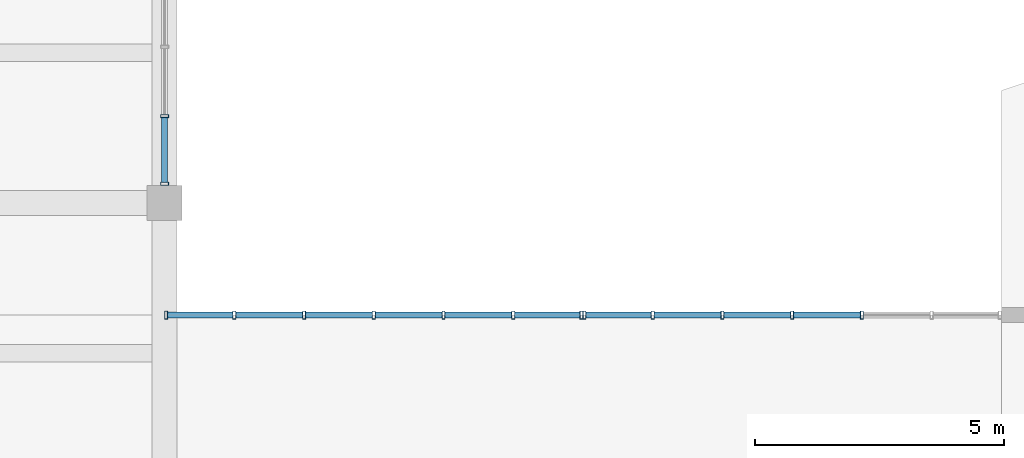
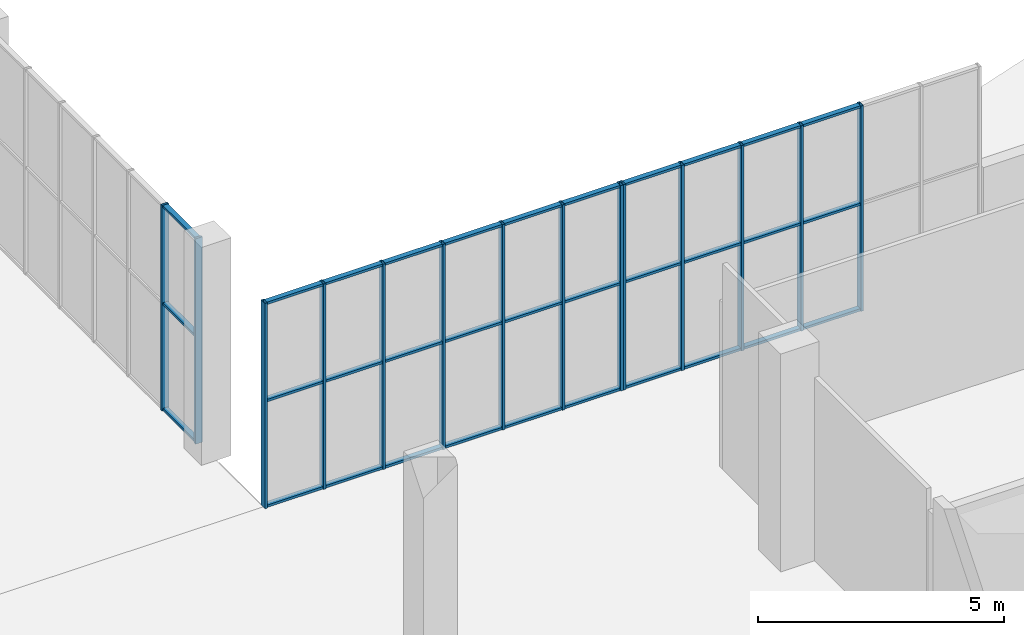
# One storey, part 15 of 91: 47 members, 3 elements without a shape of their own.
"""IFC4 building model written with IfcOpenShell, lengths in metres."""

from ifc_helpers import new_model, si_unit, direction, frame, origin, origin_2d, place, context, subcontext, project, spatial, hollow_rectangle, extrude, material, material_profile, profile_set, type_object, element, aggregate, save


model = new_model("IFC4")

# Units and contexts
model_context = context("Model", 3, precision=1e-05, world=origin(), true_north=direction((0.0, 1.0)))
body_context = subcontext(model_context, "Body", "Model", "MODEL_VIEW")
ifc_project = project(units=[si_unit("LENGTHUNIT", "METRE"), si_unit("AREAUNIT", "SQUARE_METRE"), si_unit("VOLUMEUNIT", "CUBIC_METRE"), si_unit("PLANEANGLEUNIT", "RADIAN"), si_unit("MASSUNIT", "GRAM", prefix="KILO")], contexts=[model_context])

# Site, building, storey
site_placement = place(None, origin())
site = spatial("IfcSite", under=ifc_project, at=site_placement, CompositionType="ELEMENT")
building_placement = place(site_placement, origin())
building = spatial("IfcBuilding", under=site, at=building_placement, Name="Khurvash Pelagic Aquarium", CompositionType="ELEMENT")
storey_placement = place(building_placement, origin())
storey = spatial("IfcBuildingStorey", under=building, at=storey_placement, Name="L00", CompositionType="ELEMENT", Elevation=0.0)

# Curtain wall, members
ifc_material_1 = material(Name="Anodised aluminium and low-E laminated glass", Category="aluminium")
curtain_wall_type_1 = type_object("IfcCurtainWallType", Name="CW-05", PredefinedType="USERDEFINED", material=ifc_material_1)
curtain_wall_1_placement = place(storey_placement, origin())
curtain_wall_1 = element("IfcCurtainWall", 1, at=curtain_wall_1_placement, inside=storey, type_object=curtain_wall_type_1, Name="L00 Facade Unitised Curtain Wall CW-05 0075", ObjectType="UNITISED CURTAIN WALL", PredefinedType="USERDEFINED")
ifc_material_2 = material(Name="Extruded aluminium AW-6063-T6", Category="aluminium")
ifc_material_profile_1 = material_profile(ifc_material_2, hollow_rectangle(XDim=0.06005859375, YDim=0.159912109375, WallThickness=0.00390625, at=origin_2d()), Name="CWM60X160X4")
ifc_profile_set_1 = profile_set([ifc_material_profile_1], Name="Extruded aluminium AW-6063-T6")
member_type_1 = type_object("IfcMemberType", Name="CM-02", PredefinedType="MULLION", material=ifc_profile_set_1)
member_1_placement = place(storey_placement, frame((33.60009765625, 39.18505859375, 0.0), z_axis=(0.0, 0.0, 1.0), x_axis=(0.0, 1.0, 0.0)))
member_1 = element("IfcMember", 2, at=member_1_placement, type_object=member_type_1, Name="CW-05 mullion 1", PredefinedType="MULLION", context=body_context, shape_type="SweptSolid", body=[
    extrude(hollow_rectangle(XDim=0.06005859375, YDim=0.159912109375, WallThickness=0.00390625, at=origin_2d()), origin(), (0.0, 0.0, 1.0), 5.090087890625),
])
member_2_placement = place(storey_placement, frame((33.60009765625, 40.544921875, 0.0), z_axis=(0.0, 0.0, 1.0), x_axis=(0.0, 1.0, 0.0)))
member_2 = element("IfcMember", 3, at=member_2_placement, type_object=member_type_1, Name="CW-05 mullion 2", PredefinedType="MULLION", context=body_context, shape_type="SweptSolid", body=[
    extrude(hollow_rectangle(XDim=0.06005859375, YDim=0.159912109375, WallThickness=0.00390625, at=origin_2d()), origin(), (0.0, 0.0, 1.0), 5.090087890625),
])

curtain_wall_type_2 = type_object("IfcCurtainWallType", Name="CW-02", PredefinedType="USERDEFINED", material=ifc_material_1)
curtain_wall_2_placement = place(storey_placement, origin())
curtain_wall_2 = element("IfcCurtainWall", 4, at=curtain_wall_2_placement, inside=storey, type_object=curtain_wall_type_2, Name="L00 Facade Unitised Curtain Wall CW-02 0098", ObjectType="UNITISED CURTAIN WALL", PredefinedType="USERDEFINED")
member_3_placement = place(storey_placement, frame((47.60009765625, 36.550048828125, 0.0), z_axis=(0.0, 0.0, 1.0), x_axis=(-1.0, 0.0, 0.0)))
member_3 = element("IfcMember", 5, at=member_3_placement, type_object=member_type_1, Name="CW-02 mullion 3", PredefinedType="MULLION", context=body_context, shape_type="SweptSolid", body=[
    extrude(hollow_rectangle(XDim=0.06005859375, YDim=0.159912109375, WallThickness=0.00390625, at=origin_2d()), origin(), (0.0, 0.0, 1.0), 5.090087890625),
])
member_4_placement = place(storey_placement, frame((46.199951171875, 36.550048828125, 0.0), z_axis=(0.0, 0.0, 1.0), x_axis=(-1.0, 0.0, 0.0)))
member_4 = element("IfcMember", 6, at=member_4_placement, type_object=member_type_1, Name="CW-02 mullion 4", PredefinedType="MULLION", context=body_context, shape_type="SweptSolid", body=[
    extrude(hollow_rectangle(XDim=0.06005859375, YDim=0.159912109375, WallThickness=0.00390625, at=origin_2d()), origin(), (0.0, 0.0, 1.0), 5.090087890625),
])
member_5_placement = place(storey_placement, frame((44.800048828125, 36.550048828125, 0.0), z_axis=(0.0, 0.0, 1.0), x_axis=(-1.0, 0.0, 0.0)))
member_5 = element("IfcMember", 7, at=member_5_placement, type_object=member_type_1, Name="CW-02 mullion 5", PredefinedType="MULLION", context=body_context, shape_type="SweptSolid", body=[
    extrude(hollow_rectangle(XDim=0.06005859375, YDim=0.159912109375, WallThickness=0.00390625, at=origin_2d()), origin(), (0.0, 0.0, 1.0), 5.090087890625),
])
member_6_placement = place(storey_placement, frame((43.39990234375, 36.550048828125, 0.0), z_axis=(0.0, 0.0, 1.0), x_axis=(-1.0, 0.0, 0.0)))
member_6 = element("IfcMember", 8, at=member_6_placement, type_object=member_type_1, Name="CW-02 mullion 6", PredefinedType="MULLION", context=body_context, shape_type="SweptSolid", body=[
    extrude(hollow_rectangle(XDim=0.06005859375, YDim=0.159912109375, WallThickness=0.00390625, at=origin_2d()), origin(), (0.0, 0.0, 1.0), 5.090087890625),
])
member_7_placement = place(storey_placement, frame((42.030029296875, 36.550048828125, 0.0), z_axis=(0.0, 0.0, 1.0), x_axis=(-1.0, 0.0, 0.0)))
member_7 = element("IfcMember", 9, at=member_7_placement, type_object=member_type_1, Name="CW-02 mullion 7", PredefinedType="MULLION", context=body_context, shape_type="SweptSolid", body=[
    extrude(hollow_rectangle(XDim=0.06005859375, YDim=0.159912109375, WallThickness=0.00390625, at=origin_2d()), origin(), (0.0, 0.0, 1.0), 5.090087890625),
])

curtain_wall_3_placement = place(storey_placement, origin())
curtain_wall_3 = element("IfcCurtainWall", 10, at=curtain_wall_3_placement, inside=storey, type_object=curtain_wall_type_2, Name="L00 Facade Unitised Curtain Wall CW-02 0099", ObjectType="UNITISED CURTAIN WALL", PredefinedType="USERDEFINED")
member_8_placement = place(storey_placement, frame((41.969970703125, 36.550048828125, 0.0), z_axis=(0.0, 0.0, 1.0), x_axis=(-1.0, 0.0, 0.0)))
member_8 = element("IfcMember", 11, at=member_8_placement, type_object=member_type_1, Name="CW-02 mullion 1", PredefinedType="MULLION", context=body_context, shape_type="SweptSolid", body=[
    extrude(hollow_rectangle(XDim=0.06005859375, YDim=0.159912109375, WallThickness=0.00390625, at=origin_2d()), origin(), (0.0, 0.0, 1.0), 5.090087890625),
])
member_9_placement = place(storey_placement, frame((40.60009765625, 36.550048828125, 0.0), z_axis=(0.0, 0.0, 1.0), x_axis=(-1.0, 0.0, 0.0)))
member_9 = element("IfcMember", 12, at=member_9_placement, type_object=member_type_1, Name="CW-02 mullion 2", PredefinedType="MULLION", context=body_context, shape_type="SweptSolid", body=[
    extrude(hollow_rectangle(XDim=0.06005859375, YDim=0.159912109375, WallThickness=0.00390625, at=origin_2d()), origin(), (0.0, 0.0, 1.0), 5.090087890625),
])
member_10_placement = place(storey_placement, frame((39.199951171875, 36.550048828125, 0.0), z_axis=(0.0, 0.0, 1.0), x_axis=(-1.0, 0.0, 0.0)))
member_10 = element("IfcMember", 13, at=member_10_placement, type_object=member_type_1, Name="CW-02 mullion 3", PredefinedType="MULLION", context=body_context, shape_type="SweptSolid", body=[
    extrude(hollow_rectangle(XDim=0.06005859375, YDim=0.159912109375, WallThickness=0.00390625, at=origin_2d()), origin(), (0.0, 0.0, 1.0), 5.090087890625),
])
member_11_placement = place(storey_placement, frame((37.800048828125, 36.550048828125, 0.0), z_axis=(0.0, 0.0, 1.0), x_axis=(-1.0, 0.0, 0.0)))
member_11 = element("IfcMember", 14, at=member_11_placement, type_object=member_type_1, Name="CW-02 mullion 4", PredefinedType="MULLION", context=body_context, shape_type="SweptSolid", body=[
    extrude(hollow_rectangle(XDim=0.06005859375, YDim=0.159912109375, WallThickness=0.00390625, at=origin_2d()), origin(), (0.0, 0.0, 1.0), 5.090087890625),
])
member_12_placement = place(storey_placement, frame((36.39990234375, 36.550048828125, 0.0), z_axis=(0.0, 0.0, 1.0), x_axis=(-1.0, 0.0, 0.0)))
member_12 = element("IfcMember", 15, at=member_12_placement, type_object=member_type_1, Name="CW-02 mullion 5", PredefinedType="MULLION", context=body_context, shape_type="SweptSolid", body=[
    extrude(hollow_rectangle(XDim=0.06005859375, YDim=0.159912109375, WallThickness=0.00390625, at=origin_2d()), origin(), (0.0, 0.0, 1.0), 5.090087890625),
])
member_13_placement = place(storey_placement, frame((35.0, 36.550048828125, 0.0), z_axis=(0.0, 0.0, 1.0), x_axis=(-1.0, 0.0, 0.0)))
member_13 = element("IfcMember", 16, at=member_13_placement, type_object=member_type_1, Name="CW-02 mullion 6", PredefinedType="MULLION", context=body_context, shape_type="SweptSolid", body=[
    extrude(hollow_rectangle(XDim=0.06005859375, YDim=0.159912109375, WallThickness=0.00390625, at=origin_2d()), origin(), (0.0, 0.0, 1.0), 5.090087890625),
])
member_14_placement = place(storey_placement, frame((33.6298828125, 36.550048828125, 0.0), z_axis=(0.0, 0.0, 1.0), x_axis=(-1.0, 0.0, 0.0)))
member_14 = element("IfcMember", 17, at=member_14_placement, type_object=member_type_1, Name="CW-02 mullion 7", PredefinedType="MULLION", context=body_context, shape_type="SweptSolid", body=[
    extrude(hollow_rectangle(XDim=0.06005859375, YDim=0.159912109375, WallThickness=0.00390625, at=origin_2d()), origin(), (0.0, 0.0, 1.0), 5.090087890625),
])

# Member
ifc_material_profile_2 = material_profile(ifc_material_2, hollow_rectangle(XDim=0.1201171875, YDim=0.06005859375, WallThickness=0.00390625, at=origin_2d()), Name="CWT120X60X4")
ifc_profile_set_2 = profile_set([ifc_material_profile_2], Name="Extruded aluminium AW-6063-T6")
member_type_2 = type_object("IfcMemberType", Name="CT-02", PredefinedType="USERDEFINED", material=ifc_profile_set_2)
member_15_placement = place(storey_placement, frame((33.60009765625, 39.215087890625, 0.030029296875), z_axis=(0.0, 1.0, 0.0), x_axis=(-1.0, 0.0, 0.0)))
member_15 = element("IfcMember", 18, at=member_15_placement, type_object=member_type_2, Name="CW-05 transom 1.1", ObjectType="TRANSOM", PredefinedType="USERDEFINED", context=body_context, shape_type="SweptSolid", body=[
    extrude(hollow_rectangle(XDim=0.1201171875, YDim=0.06005859375, WallThickness=0.00390625, at=origin_2d()), origin(), (0.0, 0.0, 1.0), 1.2998046875),
])

member_16_placement = place(storey_placement, frame((33.60009765625, 39.215087890625, 2.64697265625), z_axis=(0.0, 1.0, 0.0), x_axis=(-1.0, 0.0, 0.0)))
member_16 = element("IfcMember", 19, at=member_16_placement, type_object=member_type_2, Name="CW-05 transom 1.2", ObjectType="TRANSOM", PredefinedType="USERDEFINED", context=body_context, shape_type="SweptSolid", body=[
    extrude(hollow_rectangle(XDim=0.1201171875, YDim=0.06005859375, WallThickness=0.00390625, at=origin_2d()), origin(), (0.0, 0.0, 1.0), 1.2998046875),
])

member_17_placement = place(storey_placement, frame((33.60009765625, 39.215087890625, 5.06005859375), z_axis=(0.0, 1.0, 0.0), x_axis=(-1.0, 0.0, 0.0)))
member_17 = element("IfcMember", 20, at=member_17_placement, type_object=member_type_2, Name="CW-05 transom 1.3", ObjectType="TRANSOM", PredefinedType="USERDEFINED", context=body_context, shape_type="SweptSolid", body=[
    extrude(hollow_rectangle(XDim=0.1201171875, YDim=0.06005859375, WallThickness=0.00390625, at=origin_2d()), origin(), (0.0, 0.0, 1.0), 1.2998046875),
])

aggregate(curtain_wall_1, [member_1, member_2, member_15, member_16, member_17])

member_18_placement = place(storey_placement, frame((47.570068359375, 36.550048828125, 0.030029296875), z_axis=(-1.0, 0.0, 0.0), x_axis=(0.0, -1.0, 0.0)))
member_18 = element("IfcMember", 21, at=member_18_placement, type_object=member_type_2, Name="CW-02 transom 3.1", ObjectType="TRANSOM", PredefinedType="USERDEFINED", context=body_context, shape_type="SweptSolid", body=[
    extrude(hollow_rectangle(XDim=0.1201171875, YDim=0.06005859375, WallThickness=0.00390625, at=origin_2d()), origin(), (0.0, 0.0, 1.0), 1.340087890625),
])

member_19_placement = place(storey_placement, frame((47.570068359375, 36.550048828125, 2.64697265625), z_axis=(-1.0, 0.0, 0.0), x_axis=(0.0, -1.0, 0.0)))
member_19 = element("IfcMember", 22, at=member_19_placement, type_object=member_type_2, Name="CW-02 transom 3.2", ObjectType="TRANSOM", PredefinedType="USERDEFINED", context=body_context, shape_type="SweptSolid", body=[
    extrude(hollow_rectangle(XDim=0.1201171875, YDim=0.06005859375, WallThickness=0.00390625, at=origin_2d()), origin(), (0.0, 0.0, 1.0), 1.340087890625),
])

member_20_placement = place(storey_placement, frame((47.570068359375, 36.550048828125, 5.06005859375), z_axis=(-1.0, 0.0, 0.0), x_axis=(0.0, -1.0, 0.0)))
member_20 = element("IfcMember", 23, at=member_20_placement, type_object=member_type_2, Name="CW-02 transom 3.3", ObjectType="TRANSOM", PredefinedType="USERDEFINED", context=body_context, shape_type="SweptSolid", body=[
    extrude(hollow_rectangle(XDim=0.1201171875, YDim=0.06005859375, WallThickness=0.00390625, at=origin_2d()), origin(), (0.0, 0.0, 1.0), 1.340087890625),
])

member_21_placement = place(storey_placement, frame((46.169921875, 36.550048828125, 0.030029296875), z_axis=(-1.0, 0.0, 0.0), x_axis=(0.0, -1.0, 0.0)))
member_21 = element("IfcMember", 24, at=member_21_placement, type_object=member_type_2, Name="CW-02 transom 4.1", ObjectType="TRANSOM", PredefinedType="USERDEFINED", context=body_context, shape_type="SweptSolid", body=[
    extrude(hollow_rectangle(XDim=0.1201171875, YDim=0.06005859375, WallThickness=0.00390625, at=origin_2d()), origin(), (0.0, 0.0, 1.0), 1.33984375),
])

member_22_placement = place(storey_placement, frame((46.169921875, 36.550048828125, 2.64697265625), z_axis=(-1.0, 0.0, 0.0), x_axis=(0.0, -1.0, 0.0)))
member_22 = element("IfcMember", 25, at=member_22_placement, type_object=member_type_2, Name="CW-02 transom 4.2", ObjectType="TRANSOM", PredefinedType="USERDEFINED", context=body_context, shape_type="SweptSolid", body=[
    extrude(hollow_rectangle(XDim=0.1201171875, YDim=0.06005859375, WallThickness=0.00390625, at=origin_2d()), origin(), (0.0, 0.0, 1.0), 1.33984375),
])

member_23_placement = place(storey_placement, frame((46.169921875, 36.550048828125, 5.06005859375), z_axis=(-1.0, 0.0, 0.0), x_axis=(0.0, -1.0, 0.0)))
member_23 = element("IfcMember", 26, at=member_23_placement, type_object=member_type_2, Name="CW-02 transom 4.3", ObjectType="TRANSOM", PredefinedType="USERDEFINED", context=body_context, shape_type="SweptSolid", body=[
    extrude(hollow_rectangle(XDim=0.1201171875, YDim=0.06005859375, WallThickness=0.00390625, at=origin_2d()), origin(), (0.0, 0.0, 1.0), 1.33984375),
])

member_24_placement = place(storey_placement, frame((44.77001953125, 36.550048828125, 0.030029296875), z_axis=(-1.0, 0.0, 0.0), x_axis=(0.0, -1.0, 0.0)))
member_24 = element("IfcMember", 27, at=member_24_placement, type_object=member_type_2, Name="CW-02 transom 5.1", ObjectType="TRANSOM", PredefinedType="USERDEFINED", context=body_context, shape_type="SweptSolid", body=[
    extrude(hollow_rectangle(XDim=0.1201171875, YDim=0.06005859375, WallThickness=0.00390625, at=origin_2d()), origin(), (0.0, 0.0, 1.0), 1.340087890625),
])

member_25_placement = place(storey_placement, frame((44.77001953125, 36.550048828125, 2.64697265625), z_axis=(-1.0, 0.0, 0.0), x_axis=(0.0, -1.0, 0.0)))
member_25 = element("IfcMember", 28, at=member_25_placement, type_object=member_type_2, Name="CW-02 transom 5.2", ObjectType="TRANSOM", PredefinedType="USERDEFINED", context=body_context, shape_type="SweptSolid", body=[
    extrude(hollow_rectangle(XDim=0.1201171875, YDim=0.06005859375, WallThickness=0.00390625, at=origin_2d()), origin(), (0.0, 0.0, 1.0), 1.340087890625),
])

member_26_placement = place(storey_placement, frame((44.77001953125, 36.550048828125, 5.06005859375), z_axis=(-1.0, 0.0, 0.0), x_axis=(0.0, -1.0, 0.0)))
member_26 = element("IfcMember", 29, at=member_26_placement, type_object=member_type_2, Name="CW-02 transom 5.3", ObjectType="TRANSOM", PredefinedType="USERDEFINED", context=body_context, shape_type="SweptSolid", body=[
    extrude(hollow_rectangle(XDim=0.1201171875, YDim=0.06005859375, WallThickness=0.00390625, at=origin_2d()), origin(), (0.0, 0.0, 1.0), 1.340087890625),
])

member_27_placement = place(storey_placement, frame((43.3701171875, 36.550048828125, 0.030029296875), z_axis=(-1.0, 0.0, 0.0), x_axis=(0.0, -1.0, 0.0)))
member_27 = element("IfcMember", 30, at=member_27_placement, type_object=member_type_2, Name="CW-02 transom 6.1", ObjectType="TRANSOM", PredefinedType="USERDEFINED", context=body_context, shape_type="SweptSolid", body=[
    extrude(hollow_rectangle(XDim=0.1201171875, YDim=0.06005859375, WallThickness=0.00390625, at=origin_2d()), origin(), (0.0, 0.0, 1.0), 1.31005859375),
])

member_28_placement = place(storey_placement, frame((43.3701171875, 36.550048828125, 2.64697265625), z_axis=(-1.0, 0.0, 0.0), x_axis=(0.0, -1.0, 0.0)))
member_28 = element("IfcMember", 31, at=member_28_placement, type_object=member_type_2, Name="CW-02 transom 6.2", ObjectType="TRANSOM", PredefinedType="USERDEFINED", context=body_context, shape_type="SweptSolid", body=[
    extrude(hollow_rectangle(XDim=0.1201171875, YDim=0.06005859375, WallThickness=0.00390625, at=origin_2d()), origin(), (0.0, 0.0, 1.0), 1.31005859375),
])

member_29_placement = place(storey_placement, frame((43.3701171875, 36.550048828125, 5.06005859375), z_axis=(-1.0, 0.0, 0.0), x_axis=(0.0, -1.0, 0.0)))
member_29 = element("IfcMember", 32, at=member_29_placement, type_object=member_type_2, Name="CW-02 transom 6.3", ObjectType="TRANSOM", PredefinedType="USERDEFINED", context=body_context, shape_type="SweptSolid", body=[
    extrude(hollow_rectangle(XDim=0.1201171875, YDim=0.06005859375, WallThickness=0.00390625, at=origin_2d()), origin(), (0.0, 0.0, 1.0), 1.31005859375),
])

aggregate(curtain_wall_2, [member_3, member_4, member_5, member_6, member_7, member_18, member_19, member_20, member_21, member_22, member_23, member_24, member_25, member_26, member_27, member_28, member_29])

member_30_placement = place(storey_placement, frame((41.93994140625, 36.550048828125, 0.030029296875), z_axis=(-1.0, 0.0, 0.0), x_axis=(0.0, -1.0, 0.0)))
member_30 = element("IfcMember", 33, at=member_30_placement, type_object=member_type_2, Name="CW-02 transom 1.1", ObjectType="TRANSOM", PredefinedType="USERDEFINED", context=body_context, shape_type="SweptSolid", body=[
    extrude(hollow_rectangle(XDim=0.1201171875, YDim=0.06005859375, WallThickness=0.00390625, at=origin_2d()), origin(), (0.0, 0.0, 1.0), 1.31005859375),
])

member_31_placement = place(storey_placement, frame((41.93994140625, 36.550048828125, 2.64697265625), z_axis=(-1.0, 0.0, 0.0), x_axis=(0.0, -1.0, 0.0)))
member_31 = element("IfcMember", 34, at=member_31_placement, type_object=member_type_2, Name="CW-02 transom 1.2", ObjectType="TRANSOM", PredefinedType="USERDEFINED", context=body_context, shape_type="SweptSolid", body=[
    extrude(hollow_rectangle(XDim=0.1201171875, YDim=0.06005859375, WallThickness=0.00390625, at=origin_2d()), origin(), (0.0, 0.0, 1.0), 1.31005859375),
])

member_32_placement = place(storey_placement, frame((41.93994140625, 36.550048828125, 5.06005859375), z_axis=(-1.0, 0.0, 0.0), x_axis=(0.0, -1.0, 0.0)))
member_32 = element("IfcMember", 35, at=member_32_placement, type_object=member_type_2, Name="CW-02 transom 1.3", ObjectType="TRANSOM", PredefinedType="USERDEFINED", context=body_context, shape_type="SweptSolid", body=[
    extrude(hollow_rectangle(XDim=0.1201171875, YDim=0.06005859375, WallThickness=0.00390625, at=origin_2d()), origin(), (0.0, 0.0, 1.0), 1.31005859375),
])

member_33_placement = place(storey_placement, frame((40.570068359375, 36.550048828125, 0.030029296875), z_axis=(-1.0, 0.0, 0.0), x_axis=(0.0, -1.0, 0.0)))
member_33 = element("IfcMember", 36, at=member_33_placement, type_object=member_type_2, Name="CW-02 transom 2.1", ObjectType="TRANSOM", PredefinedType="USERDEFINED", context=body_context, shape_type="SweptSolid", body=[
    extrude(hollow_rectangle(XDim=0.1201171875, YDim=0.06005859375, WallThickness=0.00390625, at=origin_2d()), origin(), (0.0, 0.0, 1.0), 1.340087890625),
])

member_34_placement = place(storey_placement, frame((40.570068359375, 36.550048828125, 2.64697265625), z_axis=(-1.0, 0.0, 0.0), x_axis=(0.0, -1.0, 0.0)))
member_34 = element("IfcMember", 37, at=member_34_placement, type_object=member_type_2, Name="CW-02 transom 2.2", ObjectType="TRANSOM", PredefinedType="USERDEFINED", context=body_context, shape_type="SweptSolid", body=[
    extrude(hollow_rectangle(XDim=0.1201171875, YDim=0.06005859375, WallThickness=0.00390625, at=origin_2d()), origin(), (0.0, 0.0, 1.0), 1.340087890625),
])

member_35_placement = place(storey_placement, frame((40.570068359375, 36.550048828125, 5.06005859375), z_axis=(-1.0, 0.0, 0.0), x_axis=(0.0, -1.0, 0.0)))
member_35 = element("IfcMember", 38, at=member_35_placement, type_object=member_type_2, Name="CW-02 transom 2.3", ObjectType="TRANSOM", PredefinedType="USERDEFINED", context=body_context, shape_type="SweptSolid", body=[
    extrude(hollow_rectangle(XDim=0.1201171875, YDim=0.06005859375, WallThickness=0.00390625, at=origin_2d()), origin(), (0.0, 0.0, 1.0), 1.340087890625),
])

member_36_placement = place(storey_placement, frame((39.169921875, 36.550048828125, 0.030029296875), z_axis=(-1.0, 0.0, 0.0), x_axis=(0.0, -1.0, 0.0)))
member_36 = element("IfcMember", 39, at=member_36_placement, type_object=member_type_2, Name="CW-02 transom 3.1", ObjectType="TRANSOM", PredefinedType="USERDEFINED", context=body_context, shape_type="SweptSolid", body=[
    extrude(hollow_rectangle(XDim=0.1201171875, YDim=0.06005859375, WallThickness=0.00390625, at=origin_2d()), origin(), (0.0, 0.0, 1.0), 1.33984375),
])

member_37_placement = place(storey_placement, frame((39.169921875, 36.550048828125, 2.64697265625), z_axis=(-1.0, 0.0, 0.0), x_axis=(0.0, -1.0, 0.0)))
member_37 = element("IfcMember", 40, at=member_37_placement, type_object=member_type_2, Name="CW-02 transom 3.2", ObjectType="TRANSOM", PredefinedType="USERDEFINED", context=body_context, shape_type="SweptSolid", body=[
    extrude(hollow_rectangle(XDim=0.1201171875, YDim=0.06005859375, WallThickness=0.00390625, at=origin_2d()), origin(), (0.0, 0.0, 1.0), 1.33984375),
])

member_38_placement = place(storey_placement, frame((39.169921875, 36.550048828125, 5.06005859375), z_axis=(-1.0, 0.0, 0.0), x_axis=(0.0, -1.0, 0.0)))
member_38 = element("IfcMember", 41, at=member_38_placement, type_object=member_type_2, Name="CW-02 transom 3.3", ObjectType="TRANSOM", PredefinedType="USERDEFINED", context=body_context, shape_type="SweptSolid", body=[
    extrude(hollow_rectangle(XDim=0.1201171875, YDim=0.06005859375, WallThickness=0.00390625, at=origin_2d()), origin(), (0.0, 0.0, 1.0), 1.33984375),
])

member_39_placement = place(storey_placement, frame((37.77001953125, 36.550048828125, 0.030029296875), z_axis=(-1.0, 0.0, 0.0), x_axis=(0.0, -1.0, 0.0)))
member_39 = element("IfcMember", 42, at=member_39_placement, type_object=member_type_2, Name="CW-02 transom 4.1", ObjectType="TRANSOM", PredefinedType="USERDEFINED", context=body_context, shape_type="SweptSolid", body=[
    extrude(hollow_rectangle(XDim=0.1201171875, YDim=0.06005859375, WallThickness=0.00390625, at=origin_2d()), origin(), (0.0, 0.0, 1.0), 1.340087890625),
])

member_40_placement = place(storey_placement, frame((37.77001953125, 36.550048828125, 2.64697265625), z_axis=(-1.0, 0.0, 0.0), x_axis=(0.0, -1.0, 0.0)))
member_40 = element("IfcMember", 43, at=member_40_placement, type_object=member_type_2, Name="CW-02 transom 4.2", ObjectType="TRANSOM", PredefinedType="USERDEFINED", context=body_context, shape_type="SweptSolid", body=[
    extrude(hollow_rectangle(XDim=0.1201171875, YDim=0.06005859375, WallThickness=0.00390625, at=origin_2d()), origin(), (0.0, 0.0, 1.0), 1.340087890625),
])

member_41_placement = place(storey_placement, frame((37.77001953125, 36.550048828125, 5.06005859375), z_axis=(-1.0, 0.0, 0.0), x_axis=(0.0, -1.0, 0.0)))
member_41 = element("IfcMember", 44, at=member_41_placement, type_object=member_type_2, Name="CW-02 transom 4.3", ObjectType="TRANSOM", PredefinedType="USERDEFINED", context=body_context, shape_type="SweptSolid", body=[
    extrude(hollow_rectangle(XDim=0.1201171875, YDim=0.06005859375, WallThickness=0.00390625, at=origin_2d()), origin(), (0.0, 0.0, 1.0), 1.340087890625),
])

member_42_placement = place(storey_placement, frame((36.3701171875, 36.550048828125, 0.030029296875), z_axis=(-1.0, 0.0, 0.0), x_axis=(0.0, -1.0, 0.0)))
member_42 = element("IfcMember", 45, at=member_42_placement, type_object=member_type_2, Name="CW-02 transom 5.1", ObjectType="TRANSOM", PredefinedType="USERDEFINED", context=body_context, shape_type="SweptSolid", body=[
    extrude(hollow_rectangle(XDim=0.1201171875, YDim=0.06005859375, WallThickness=0.00390625, at=origin_2d()), origin(), (0.0, 0.0, 1.0), 1.340087890625),
])

member_43_placement = place(storey_placement, frame((36.3701171875, 36.550048828125, 2.64697265625), z_axis=(-1.0, 0.0, 0.0), x_axis=(0.0, -1.0, 0.0)))
member_43 = element("IfcMember", 46, at=member_43_placement, type_object=member_type_2, Name="CW-02 transom 5.2", ObjectType="TRANSOM", PredefinedType="USERDEFINED", context=body_context, shape_type="SweptSolid", body=[
    extrude(hollow_rectangle(XDim=0.1201171875, YDim=0.06005859375, WallThickness=0.00390625, at=origin_2d()), origin(), (0.0, 0.0, 1.0), 1.340087890625),
])

member_44_placement = place(storey_placement, frame((36.3701171875, 36.550048828125, 5.06005859375), z_axis=(-1.0, 0.0, 0.0), x_axis=(0.0, -1.0, 0.0)))
member_44 = element("IfcMember", 47, at=member_44_placement, type_object=member_type_2, Name="CW-02 transom 5.3", ObjectType="TRANSOM", PredefinedType="USERDEFINED", context=body_context, shape_type="SweptSolid", body=[
    extrude(hollow_rectangle(XDim=0.1201171875, YDim=0.06005859375, WallThickness=0.00390625, at=origin_2d()), origin(), (0.0, 0.0, 1.0), 1.340087890625),
])

member_45_placement = place(storey_placement, frame((34.969970703125, 36.550048828125, 0.030029296875), z_axis=(-1.0, 0.0, 0.0), x_axis=(0.0, -1.0, 0.0)))
member_45 = element("IfcMember", 48, at=member_45_placement, type_object=member_type_2, Name="CW-02 transom 6.1", ObjectType="TRANSOM", PredefinedType="USERDEFINED", context=body_context, shape_type="SweptSolid", body=[
    extrude(hollow_rectangle(XDim=0.1201171875, YDim=0.06005859375, WallThickness=0.00390625, at=origin_2d()), origin(), (0.0, 0.0, 1.0), 1.31005859375),
])

member_46_placement = place(storey_placement, frame((34.969970703125, 36.550048828125, 2.64697265625), z_axis=(-1.0, 0.0, 0.0), x_axis=(0.0, -1.0, 0.0)))
member_46 = element("IfcMember", 49, at=member_46_placement, type_object=member_type_2, Name="CW-02 transom 6.2", ObjectType="TRANSOM", PredefinedType="USERDEFINED", context=body_context, shape_type="SweptSolid", body=[
    extrude(hollow_rectangle(XDim=0.1201171875, YDim=0.06005859375, WallThickness=0.00390625, at=origin_2d()), origin(), (0.0, 0.0, 1.0), 1.31005859375),
])

member_47_placement = place(storey_placement, frame((34.969970703125, 36.550048828125, 5.06005859375), z_axis=(-1.0, 0.0, 0.0), x_axis=(0.0, -1.0, 0.0)))
member_47 = element("IfcMember", 50, at=member_47_placement, type_object=member_type_2, Name="CW-02 transom 6.3", ObjectType="TRANSOM", PredefinedType="USERDEFINED", context=body_context, shape_type="SweptSolid", body=[
    extrude(hollow_rectangle(XDim=0.1201171875, YDim=0.06005859375, WallThickness=0.00390625, at=origin_2d()), origin(), (0.0, 0.0, 1.0), 1.31005859375),
])

aggregate(curtain_wall_3, [member_8, member_9, member_10, member_11, member_12, member_13, member_14, member_30, member_31, member_32, member_33, member_34, member_35, member_36, member_37, member_38, member_39, member_40, member_41, member_42, member_43, member_44, member_45, member_46, member_47])

save(model, "model.ifc")
